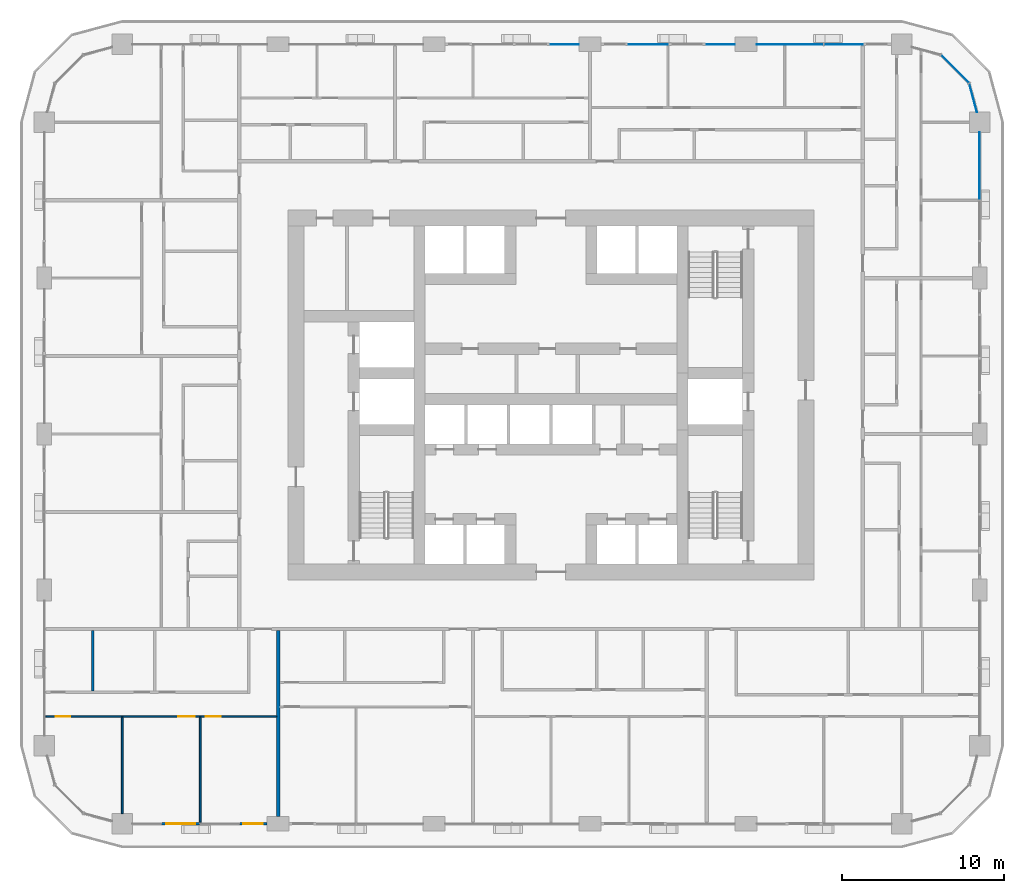
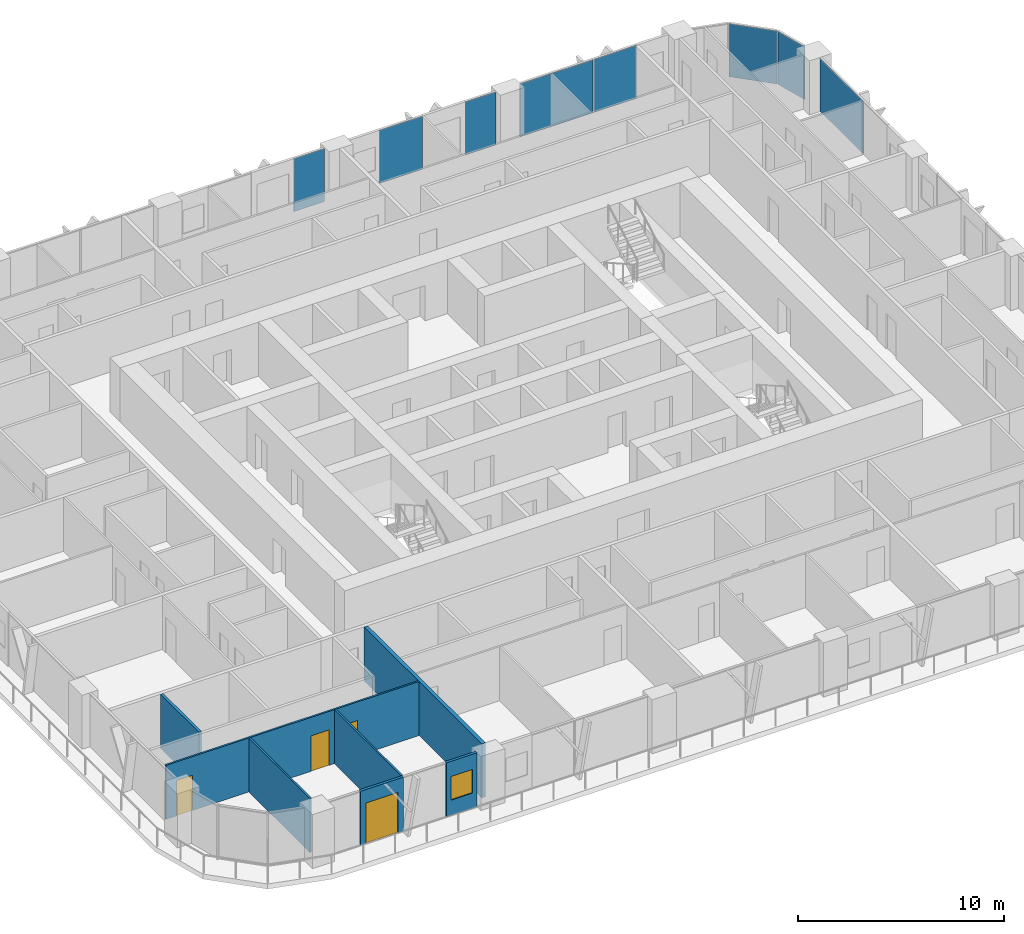
# One storey, part 8 of 21: 8 plates, 7 walls, 4 doors, 1 window, 5 openings, 5 elements without a shape of their own.
"""IFC4 building model written with IfcOpenShell, lengths in metres."""

import ifcopenshell
import ifcopenshell.guid

model = None  # the IFC model being written
_history = None  # IfcOwnerHistory: only IFC2X3 demands one
_inside = {}  # id of a spatial element -> (the spatial element, [elements in it])
_under = {}  # id of a project, library or spatial element -> (it, [spatial elements below it])
_declared = {}  # id of a project -> (the project, [libraries it declares])
_typed = {}  # id of a type object -> (the type object, [elements of that type])
_made_of = {}  # id of a material, layer set ... -> (it, [elements and type objects made of it])


def new_model(schema):
    """Start an empty IFC model of exactly this schema.

    Asked for "IFC4X3", IfcOpenShell would pick the latest addendum, in which some entities
    have other attributes; the version numbers below select the first issue.
    IFC2X3 requires an IfcOwnerHistory on every rooted entity: one is made here for all.
    """
    global model, _history
    if schema == "IFC4X3":
        model = ifcopenshell.file(schema_version=(4, 3, 0, 0))
    else:
        model = ifcopenshell.file(schema=schema)
    _inside.clear()
    _under.clear()
    _declared.clear()
    _typed.clear()
    _made_of.clear()
    _history = None
    if model.schema == "IFC2X3":
        org = make("IfcOrganization", Name="unknown")
        user = make(
            "IfcPersonAndOrganization",
            ThePerson=make("IfcPerson", FamilyName="unknown"),
            TheOrganization=org,
        )
        app = make(
            "IfcApplication",
            ApplicationDeveloper=org,
            Version="unknown",
            ApplicationFullName="unknown",
            ApplicationIdentifier="unknown",
        )
        _history = make(
            "IfcOwnerHistory",
            OwningUser=user,
            OwningApplication=app,
            ChangeAction="ADDED",
            CreationDate=0,
        )
    return model


def make(cls, **values):
    """One entity of the class cls with the attributes given. An attribute that is None is left unset."""
    return model.create_entity(
        cls, **{name: value for name, value in values.items() if value is not None}
    )


def rooted(cls, **values):
    """An entity with a GlobalId (a new one), such as an element, a storey or a relation."""
    return make(cls, GlobalId=ifcopenshell.guid.new(), OwnerHistory=_history, **values)


def si_unit(unit_type, name, prefix=None):
    """IfcSIUnit, for example si_unit("LENGTHUNIT", "METRE", prefix="MILLI")."""
    return make("IfcSIUnit", UnitType=unit_type, Prefix=prefix, Name=name)


def assignment(units):
    """IfcUnitAssignment: the units of a project."""
    return None if units is None else make("IfcUnitAssignment", Units=units)


def point(xyz):
    """IfcCartesianPoint."""
    return None if xyz is None else make("IfcCartesianPoint", Coordinates=xyz)


def direction(xyz):
    """IfcDirection."""
    return None if xyz is None else make("IfcDirection", DirectionRatios=xyz)


def frame(location, z_axis=None, x_axis=None):
    """IfcAxis2Placement3D, a coordinate frame: its origin and axes. An axis left out is left unset."""
    return make(
        "IfcAxis2Placement3D",
        Location=point(location),
        Axis=direction(z_axis),
        RefDirection=direction(x_axis),
    )


def frame_2d(location, x_axis=None):
    """IfcAxis2Placement2D, a coordinate frame in the plane: its origin and x axis."""
    return make(
        "IfcAxis2Placement2D", Location=point(location), RefDirection=direction(x_axis)
    )


def origin():
    """The frame at (0, 0, 0) with its axes left unset."""
    return frame((0.0, 0.0, 0.0))


def origin_2d():
    """The frame at (0, 0) in the plane with its x axis left unset."""
    return frame_2d((0.0, 0.0))


def place(relative_to, where):
    """IfcLocalPlacement: puts the frame where relative to a parent placement (None: the world)."""
    return make(
        "IfcLocalPlacement", PlacementRelTo=relative_to, RelativePlacement=where
    )


def context(
    kind, dimensions, precision=None, world=None, true_north=None, identifier=None
):
    """IfcGeometricRepresentationContext, for example the 3D "Model" context."""
    return make(
        "IfcGeometricRepresentationContext",
        ContextIdentifier=identifier,
        ContextType=kind,
        CoordinateSpaceDimension=dimensions,
        Precision=precision,
        WorldCoordinateSystem=world,
        TrueNorth=true_north,
    )


def subcontext(parent, identifier, kind, view, scale=None):
    """IfcGeometricRepresentationSubContext, for example "Body" below "Model"."""
    return make(
        "IfcGeometricRepresentationSubContext",
        ContextIdentifier=identifier,
        ContextType=kind,
        ParentContext=parent,
        TargetScale=scale,
        TargetView=view,
    )


def project(units=None, contexts=None):
    """IfcProject with its units and contexts."""
    return rooted(
        "IfcProject",
        Name="project",
        RepresentationContexts=contexts,
        UnitsInContext=assignment(units),
    )


def spatial(cls, under=None, at=None, **own):
    """A site, building, storey or space (cls), placed at a placement, below another one or the project."""
    s = rooted(cls, ObjectPlacement=at, **own)
    if under is not None:
        _under.setdefault(under.id(), (under, []))[1].append(s)
    return s


def profile(cls, at=None, kind="AREA", **sizes):
    """A parametric profile (cls). Its sizes go by their IFC names, for example OverallWidth=200.0."""
    return make(cls, ProfileType=kind, Position=at, **sizes)


def rectangle(**sizes):
    """IfcRectangleProfileDef."""
    return profile("IfcRectangleProfileDef", **sizes)


def extrude(swept, where, along, depth):
    """IfcExtrudedAreaSolid: the profile swept, set in the frame where, extruded along a direction by depth."""
    return make(
        "IfcExtrudedAreaSolid",
        SweptArea=swept,
        Position=where,
        ExtrudedDirection=direction(along),
        Depth=depth,
    )


def shape(context_of_items, identifier, shape_type, items):
    """IfcShapeRepresentation: the items that make up one representation, for example the "Body"."""
    return make(
        "IfcShapeRepresentation",
        ContextOfItems=context_of_items,
        RepresentationIdentifier=identifier,
        RepresentationType=shape_type,
        Items=items,
    )


def material(Name=None, Category=None):
    """IfcMaterial."""
    return make("IfcMaterial", Name=Name, Category=Category)


def layer(
    of_material, thickness, ventilated=None, Name=None, Category=None, Priority=None
):
    """IfcMaterialLayer: one layer of a wall or slab, of a material (None: an air gap)."""
    return make(
        "IfcMaterialLayer",
        Material=of_material,
        LayerThickness=thickness,
        IsVentilated=ventilated,
        Name=Name,
        Category=Category,
        Priority=Priority,
    )


def layer_set(layers, Name=None):
    """IfcMaterialLayerSet."""
    return make("IfcMaterialLayerSet", MaterialLayers=layers, LayerSetName=Name)


def made_of(thing, what):
    """Note that an element or type object is made of a material, layer set ...; save() writes the relation."""
    if what is not None:
        _made_of.setdefault(what.id(), (what, []))[1].append(thing)
    return thing


def type_object(cls, material=None, **own):
    """A type object (cls), such as IfcWallType, which elements share."""
    return made_of(rooted(cls, **own), material)


def element(
    cls,
    number,
    at=None,
    inside=None,
    cuts=None,
    type_object=None,
    material=None,
    context=None,
    identifier="Body",
    shape_type=None,
    held_by="IfcProductDefinitionShape",
    body=None,
    shapes=None,
    **own,
):
    """One element of the class cls, such as IfcWall. Its Tag is "e" and its number.

    at: its placement. inside: the storey or other place that contains it. cuts: it is an
    opening in that element (IfcRelVoidsElement). A single representation is given by context,
    identifier, shape_type and body (its items); several are given by shapes. held_by: the class
    of the entity that holds the representations. save() writes the other relations.
    """
    e = rooted(cls, Tag="e%d" % number, ObjectPlacement=at, **own)
    if body is not None:
        shapes = [shape(context, identifier, shape_type, body)]
    if shapes is not None:
        e.Representation = make(held_by, Representations=shapes)
    if inside is not None:
        _inside.setdefault(inside.id(), (inside, []))[1].append(e)
    if cuts is not None:
        rooted(
            "IfcRelVoidsElement", RelatingBuildingElement=cuts, RelatedOpeningElement=e
        )
    if type_object is not None:
        _typed.setdefault(type_object.id(), (type_object, []))[1].append(e)
    return made_of(e, material)


def fill(opening, filler):
    """IfcRelFillsElement: the door or window that sits in an opening."""
    return rooted(
        "IfcRelFillsElement",
        RelatingOpeningElement=opening,
        RelatedBuildingElement=filler,
    )


def aggregate(whole, parts):
    """IfcRelAggregates: a whole, such as a stair, and the parts it consists of."""
    return rooted("IfcRelAggregates", RelatingObject=whole, RelatedObjects=parts)


def save(model, path):
    """Write the relations noted so far, then the file.

    IfcRelAggregates (storeys below a building ...), IfcRelContainedInSpatialStructure (elements
    in a storey), IfcRelDefinesByType, IfcRelAssociatesMaterial and IfcRelDeclares: one each for
    every whole, place, type object, material and project.
    """
    for whole, parts in _under.values():
        aggregate(whole, parts)
    for where, things in _inside.values():
        rooted(
            "IfcRelContainedInSpatialStructure",
            RelatedElements=things,
            RelatingStructure=where,
        )
    for kind, things in _typed.values():
        rooted("IfcRelDefinesByType", RelatedObjects=things, RelatingType=kind)
    for what, things in _made_of.values():
        rooted("IfcRelAssociatesMaterial", RelatedObjects=things, RelatingMaterial=what)
    for by, libraries in _declared.values():
        rooted("IfcRelDeclares", RelatingContext=by, RelatedDefinitions=libraries)
    model.write(path)


model = new_model("IFC4")

# Units and contexts
model_context = context("Model", 3, precision=1e-05, world=origin(), true_north=direction((0.0, 1.0)))
body_context = subcontext(model_context, "Body", "Model", "MODEL_VIEW")
ifc_project = project(units=[si_unit("LENGTHUNIT", "METRE"), si_unit("AREAUNIT", "SQUARE_METRE"), si_unit("VOLUMEUNIT", "CUBIC_METRE"), si_unit("PLANEANGLEUNIT", "RADIAN"), si_unit("MASSUNIT", "GRAM", prefix="KILO")], contexts=[model_context])

# Site, building, storey
site_placement = place(None, origin())
site = spatial("IfcSite", under=ifc_project, at=site_placement, CompositionType="ELEMENT")
building_placement = place(site_placement, origin())
building = spatial("IfcBuilding", under=site, at=building_placement, Name="Madar Terraces", CompositionType="ELEMENT")
storey_placement = place(building_placement, frame((0.0, 0.0, 43.39990234375)))
storey = spatial("IfcBuildingStorey", under=building, at=storey_placement, Name="L10", CompositionType="ELEMENT", Elevation=43.39990234375)

# Curtain wall, plate
ifc_material_1 = material(Name="Glass, ceramic frit dark grey, with black aluminium frame", Category="aluminium")
ifc_layer_1 = layer(ifc_material_1, 0.199951171875)
ifc_layer_set_1 = layer_set([ifc_layer_1], Name="Facade curtain wall, fritted glass")
curtain_wall_type = type_object("IfcCurtainWallType", Name="Facade curtain wall, fritted glass", PredefinedType="NOTDEFINED", material=ifc_layer_set_1)
curtain_wall_1_placement = place(storey_placement, origin())
curtain_wall_1 = element("IfcCurtainWall", 1, at=curtain_wall_1_placement, inside=storey, type_object=curtain_wall_type, Name="Outer skin curtain wall east bay 4", PredefinedType="NOTDEFINED")
ifc_material_2 = material(Name="Glass, ceramic frit dark grey", Category="glass")
ifc_layer_2 = layer(ifc_material_2, 0.028076171875)
ifc_layer_set_2 = layer_set([ifc_layer_2], Name="Facade glass panel 28")
plate_type = type_object("IfcPlateType", Name="Facade glass panel 28", PredefinedType="CURTAIN_PANEL", material=ifc_layer_set_2)
plate_1_placement = place(storey_placement, frame((57.60009765625, 40.50244140625, 0.0), z_axis=(0.0, 0.0, 1.0), x_axis=(0.0, 1.0, 0.0)))
plate_1 = element("IfcPlate", 2, at=plate_1_placement, type_object=plate_type, Name="Panel 2", PredefinedType="CURTAIN_PANEL", context=body_context, shape_type="SweptSolid", body=[
    extrude(rectangle(XDim=4.14501953125, YDim=0.028076171875, at=origin_2d()), origin(), (0.0, 0.0, 1.0), 3.139892578125),
])
aggregate(curtain_wall_1, [plate_1])

# Curtain wall, plates
curtain_wall_2_placement = place(storey_placement, origin())
curtain_wall_2 = element("IfcCurtainWall", 3, at=curtain_wall_2_placement, inside=storey, type_object=curtain_wall_type, Name="Outer skin curtain wall north bay 1", PredefinedType="NOTDEFINED")
plate_2_placement = place(storey_placement, frame((49.215087890625, 48.0, 0.0), z_axis=(0.0, 0.0, 1.0), x_axis=(-1.0, 0.0, 0.0)))
plate_2 = element("IfcPlate", 4, at=plate_2_placement, type_object=plate_type, Name="Panel 1", PredefinedType="CURTAIN_PANEL", context=body_context, shape_type="SweptSolid", body=[
    extrude(rectangle(XDim=2.3701171875, YDim=0.028076171875, at=origin_2d()), origin(), (0.0, 0.0, 1.0), 3.139892578125),
])
plate_3_placement = place(storey_placement, frame((45.922607421875, 48.0, 0.0), z_axis=(0.0, 0.0, 1.0), x_axis=(-1.0, 0.0, 0.0)))
plate_3 = element("IfcPlate", 5, at=plate_3_placement, type_object=plate_type, Name="Panel 2", PredefinedType="CURTAIN_PANEL", context=body_context, shape_type="SweptSolid", body=[
    extrude(rectangle(XDim=4.094970703125, YDim=0.028076171875, at=origin_2d()), origin(), (0.0, 0.0, 1.0), 3.139892578125),
])
aggregate(curtain_wall_2, [plate_2, plate_3])

curtain_wall_3_placement = place(storey_placement, origin())
curtain_wall_3 = element("IfcCurtainWall", 6, at=curtain_wall_3_placement, inside=storey, type_object=curtain_wall_type, Name="Outer skin curtain wall north bay 2", PredefinedType="NOTDEFINED")
plate_4_placement = place(storey_placement, frame((41.66259765625, 48.0, 0.0), z_axis=(0.0, 0.0, 1.0), x_axis=(-1.0, 0.0, 0.0)))
plate_4 = element("IfcPlate", 7, at=plate_4_placement, type_object=plate_type, Name="Panel 1", PredefinedType="CURTAIN_PANEL", context=body_context, shape_type="SweptSolid", body=[
    extrude(rectangle(XDim=1.72509765625, YDim=0.028076171875, at=origin_2d()), origin(), (0.0, 0.0, 1.0), 3.139892578125),
])
plate_5_placement = place(storey_placement, frame((37.199951171875, 48.0, 0.0), z_axis=(0.0, 0.0, 1.0), x_axis=(-1.0, 0.0, 0.0)))
plate_5 = element("IfcPlate", 8, at=plate_5_placement, type_object=plate_type, Name="Panel 2", PredefinedType="CURTAIN_PANEL", context=body_context, shape_type="SweptSolid", body=[
    extrude(rectangle(XDim=2.39990234375, YDim=0.028076171875, at=origin_2d()), origin(), (0.0, 0.0, 1.0), 3.139892578125),
])
aggregate(curtain_wall_3, [plate_4, plate_5])

# Curtain wall, plate
curtain_wall_4_placement = place(storey_placement, origin())
curtain_wall_4 = element("IfcCurtainWall", 9, at=curtain_wall_4_placement, inside=storey, type_object=curtain_wall_type, Name="Outer skin curtain wall north bay 3", PredefinedType="NOTDEFINED")
plate_6_placement = place(storey_placement, frame((32.0625, 48.0, 0.0), z_axis=(0.0, 0.0, 1.0), x_axis=(-1.0, 0.0, 0.0)))
plate_6 = element("IfcPlate", 10, at=plate_6_placement, type_object=plate_type, Name="Panel 1", PredefinedType="CURTAIN_PANEL", context=body_context, shape_type="SweptSolid", body=[
    extrude(rectangle(XDim=1.72509765625, YDim=0.028076171875, at=origin_2d()), origin(), (0.0, 0.0, 1.0), 3.139892578125),
])
aggregate(curtain_wall_4, [plate_6])

# Curtain wall, plates
curtain_wall_5_placement = place(storey_placement, origin())
curtain_wall_5 = element("IfcCurtainWall", 11, at=curtain_wall_5_placement, inside=storey, type_object=curtain_wall_type, Name="Outer skin curtain wall north-east corner", PredefinedType="NOTDEFINED")
plate_7_placement = place(storey_placement, frame((57.19873046875, 44.697998046875, 0.0), z_axis=(0.0, 0.0, 1.0), x_axis=(-0.258819021888, 0.965925832509, 0.0)))
plate_7 = element("IfcPlate", 12, at=plate_7_placement, type_object=plate_type, Name="Panel 1", PredefinedType="CURTAIN_PANEL", context=body_context, shape_type="SweptSolid", body=[
    extrude(rectangle(XDim=1.8076171875, YDim=0.028076171875, at=origin_2d()), origin(), (0.0, 0.0, 1.0), 3.139892578125),
])
plate_8_placement = place(storey_placement, frame((56.078369140625, 46.478515625, 0.0), z_axis=(0.0, 0.0, 1.0), x_axis=(-0.707106781187, 0.707106781187, 0.0)))
plate_8 = element("IfcPlate", 13, at=plate_8_placement, type_object=plate_type, Name="Panel 2", PredefinedType="CURTAIN_PANEL", context=body_context, shape_type="SweptSolid", body=[
    extrude(rectangle(XDim=2.424560546875, YDim=0.028076171875, at=origin_2d()), origin(), (0.0, 0.0, 1.0), 3.139892578125),
])
aggregate(curtain_wall_5, [plate_7, plate_8])

# Wall, opening, door
ifc_material_3 = material(Name="Aluminium composite panel, black, over insulated backing", Category="aluminium")
ifc_layer_3 = layer(ifc_material_3, 0.14990234375)
ifc_layer_set_3 = layer_set([ifc_layer_3], Name="Facade bay panel 150")
wall_type_1 = type_object("IfcWallType", Name="Facade bay panel 150", PredefinedType="SOLIDWALL", material=ifc_layer_set_3)
wall_1_placement = place(storey_placement, frame((7.199951171875, 0.0, 0.0), z_axis=(0.0, 0.0, 1.0), x_axis=(1.0, 0.0, 0.0)))
wall_1 = element("IfcWall", 14, at=wall_1_placement, inside=storey, type_object=wall_type_1, Name="Facade bay panel", PredefinedType="SOLIDWALL", context=body_context, shape_type="SweptSolid", body=[
    extrude(rectangle(XDim=2.400146484375, YDim=0.14990234375, at=frame_2d((1.2001953125, 0.0))), origin(), (0.0, 0.0, 1.0), 3.2001953125),
])
opening_1_placement = place(wall_1_placement, frame((0.300048828125, 0.0, 0.0)))
opening_1 = element("IfcOpeningElement", 15, at=opening_1_placement, cuts=wall_1, Name="Opening ED1", PredefinedType="OPENING", context=body_context, shape_type="SweptSolid", body=[
    extrude(rectangle(XDim=1.800048828125, YDim=2.39990234375, at=frame_2d((0.89990234375, 1.199951171875))), frame((0.0, 0.0849609375, 0.0), z_axis=(0.0, -1.0, 0.0), x_axis=(1.0, 0.0, 0.0)), (0.0, 0.0, 1.0), 0.169921875),
])
ifc_material_4 = material(Name="Glass, clear, with black aluminium frame", Category="aluminium")
door_type_1 = type_object("IfcDoorType", Name="Balcony and terrace sliding door 1800 x 2400", OperationType="SLIDING_TO_LEFT", PredefinedType="DOOR", material=ifc_material_4)
door_1_placement = place(opening_1_placement, origin())
door_1 = element("IfcDoor", 16, at=door_1_placement, inside=storey, type_object=door_type_1, Name="Balcony door", OperationType="SLIDING_TO_LEFT", OverallHeight=2.39990234375, OverallWidth=1.800048828125, PredefinedType="DOOR", context=body_context, shape_type="SweptSolid", body=[
    extrude(rectangle(XDim=1.800048828125, YDim=2.39990234375, at=frame_2d((0.89990234375, 1.199951171875))), frame((0.0, 0.02490234375, 0.0), z_axis=(0.0, -1.0, 0.0), x_axis=(1.0, 0.0, 0.0)), (0.0, 0.0, 1.0), 0.050048828125),
])
fill(opening_1, door_1)

# Wall, opening, window
wall_2_placement = place(storey_placement, frame((12.0, 0.0, 0.0), z_axis=(0.0, 0.0, 1.0), x_axis=(1.0, 0.0, 0.0)))
wall_2 = element("IfcWall", 17, at=wall_2_placement, inside=storey, type_object=wall_type_1, Name="Facade bay panel", PredefinedType="SOLIDWALL", context=body_context, shape_type="SweptSolid", body=[
    extrude(rectangle(XDim=1.72509765625, YDim=0.14990234375, at=frame_2d((0.862548828125, 0.0))), origin(), (0.0, 0.0, 1.0), 3.2001953125),
])
opening_2_placement = place(wall_2_placement, frame((0.262451171875, 0.0, 0.89990234375)))
opening_2 = element("IfcOpeningElement", 18, at=opening_2_placement, cuts=wall_2, Name="Opening W1", PredefinedType="OPENING", context=body_context, shape_type="SweptSolid", body=[
    extrude(rectangle(XDim=1.199951171875, YDim=1.39990234375, at=frame_2d((0.60009765625, 0.699951171875))), frame((0.0, 0.0849609375, 0.0), z_axis=(0.0, -1.0, 0.0), x_axis=(1.0, 0.0, 0.0)), (0.0, 0.0, 1.0), 0.169921875),
])
ifc_material_5 = material(Name="Glass, clear, with black aluminium frame", Category="aluminium")
window_type = type_object("IfcWindowType", Name="Vent window 1200 x 1400", PartitioningType="SINGLE_PANEL", PredefinedType="WINDOW", material=ifc_material_5)
window_placement = place(opening_2_placement, origin())
window = element("IfcWindow", 19, at=window_placement, inside=storey, type_object=window_type, Name="Operable vent window", OverallHeight=1.39990234375, OverallWidth=1.199951171875, PartitioningType="SINGLE_PANEL", PredefinedType="WINDOW", context=body_context, shape_type="SweptSolid", body=[
    extrude(rectangle(XDim=1.199951171875, YDim=1.39990234375, at=frame_2d((0.60009765625, 0.699951171875))), frame((0.0, 0.030029296875, 0.0), z_axis=(0.0, -1.0, 0.0), x_axis=(1.0, 0.0, 0.0)), (0.0, 0.0, 1.0), 0.06005859375),
])
fill(opening_2, window)

# Walls
ifc_material_6 = material(Name="Gypsum board on steel studs", Category="steel")
ifc_layer_4 = layer(ifc_material_6, 0.10009765625)
ifc_layer_set_4 = layer_set([ifc_layer_4], Name="Flat partition 100")
wall_type_2 = type_object("IfcWallType", Name="Flat partition 100", PredefinedType="PARTITIONING", material=ifc_layer_set_4)
wall_3_placement = place(storey_placement, frame((9.60009765625, 6.550048828125, 0.0), z_axis=(0.0, 0.0, 1.0), x_axis=(0.0, -1.0, 0.0)))
element("IfcWall", 20, at=wall_3_placement, inside=storey, type_object=wall_type_2, Name="Flat partition 100", PredefinedType="PARTITIONING", context=body_context, shape_type="SweptSolid", body=[
    extrude(rectangle(XDim=6.449951171875, YDim=0.10009765625, at=frame_2d((3.22509765625, 0.0))), origin(), (0.0, 0.0, 1.0), 3.2001953125),
])
wall_4_placement = place(storey_placement, frame((4.800048828125, 6.550048828125, 0.0), z_axis=(0.0, 0.0, 1.0), x_axis=(0.0, -1.0, 0.0)))
element("IfcWall", 21, at=wall_4_placement, inside=storey, type_object=wall_type_2, Name="Flat partition 100", PredefinedType="PARTITIONING", context=body_context, shape_type="SweptSolid", body=[
    extrude(rectangle(XDim=5.925048828125, YDim=0.10009765625, at=frame_2d((2.96240234375, 0.0))), origin(), (0.0, 0.0, 1.0), 3.2001953125),
])

# Wall, openings, doors
wall_5_placement = place(storey_placement, frame((14.300048828125, 6.60009765625, 0.0), z_axis=(0.0, 0.0, 1.0), x_axis=(-1.0, 0.0, 0.0)))
wall_5 = element("IfcWall", 22, at=wall_5_placement, inside=storey, type_object=wall_type_2, Name="Flat partition 100", PredefinedType="PARTITIONING", context=body_context, shape_type="SweptSolid", body=[
    extrude(rectangle(XDim=14.199951171875, YDim=0.10009765625, at=frame_2d((7.10009765625, 0.0))), origin(), (0.0, 0.0, 1.0), 3.2001953125),
])
opening_3_placement = place(wall_5_placement, frame((3.449951171875, 0.0, 0.0)))
opening_3 = element("IfcOpeningElement", 23, at=opening_3_placement, cuts=wall_5, Name="Opening D2", PredefinedType="OPENING", context=body_context, shape_type="SweptSolid", body=[
    extrude(rectangle(XDim=0.89990234375, YDim=2.10009765625, at=frame_2d((0.449951171875, 1.050048828125))), frame((0.0, 0.06005859375, 0.0), z_axis=(0.0, -1.0, 0.0), x_axis=(1.0, 0.0, 0.0)), (0.0, 0.0, 1.0), 0.1201171875),
])
opening_4_placement = place(wall_5_placement, frame((5.050048828125, 0.0, 0.0)))
opening_4 = element("IfcOpeningElement", 24, at=opening_4_placement, cuts=wall_5, Name="Opening D3", PredefinedType="OPENING", context=body_context, shape_type="SweptSolid", body=[
    extrude(rectangle(XDim=1.0, YDim=2.10009765625, at=frame_2d((0.5, 1.050048828125))), frame((0.0, 0.06005859375, 0.0), z_axis=(0.0, -1.0, 0.0), x_axis=(1.0, 0.0, 0.0)), (0.0, 0.0, 1.0), 0.1201171875),
])
opening_5_placement = place(wall_5_placement, frame((12.699951171875, 0.0, 0.0)))
opening_5 = element("IfcOpeningElement", 25, at=opening_5_placement, cuts=wall_5, Name="Opening D2", PredefinedType="OPENING", context=body_context, shape_type="SweptSolid", body=[
    extrude(rectangle(XDim=0.89990234375, YDim=2.10009765625, at=frame_2d((0.449951171875, 1.050048828125))), frame((0.0, 0.06005859375, 0.0), z_axis=(0.0, -1.0, 0.0), x_axis=(1.0, 0.0, 0.0)), (0.0, 0.0, 1.0), 0.1201171875),
])
ifc_material_7 = material(Name="Timber door leaf", Category="wood")
door_type_2 = type_object("IfcDoorType", Name="Flat living room door 1000", OperationType="NOTDEFINED", PredefinedType="DOOR", material=ifc_material_7)
door_2_placement = place(opening_4_placement, origin())
door_2 = element("IfcDoor", 26, at=door_2_placement, inside=storey, type_object=door_type_2, Name="Flat living room door 1000", OperationType="SINGLE_SWING_LEFT", OverallHeight=2.10009765625, OverallWidth=1.0, PredefinedType="DOOR", context=body_context, shape_type="SweptSolid", body=[
    extrude(rectangle(XDim=1.0, YDim=2.10009765625, at=frame_2d((0.5, 1.050048828125))), frame((0.0, 0.02490234375, 0.0), z_axis=(0.0, -1.0, 0.0), x_axis=(1.0, 0.0, 0.0)), (0.0, 0.0, 1.0), 0.050048828125),
])
fill(opening_4, door_2)
ifc_material_8 = material(Name="Timber door leaf", Category="wood")
door_type_3 = type_object("IfcDoorType", Name="Flat room door 900", OperationType="NOTDEFINED", PredefinedType="DOOR", material=ifc_material_8)
door_3_placement = place(opening_3_placement, origin())
door_3 = element("IfcDoor", 27, at=door_3_placement, inside=storey, type_object=door_type_3, Name="Flat room door 900", OperationType="SINGLE_SWING_RIGHT", OverallHeight=2.10009765625, OverallWidth=0.89990234375, PredefinedType="DOOR", context=body_context, shape_type="SweptSolid", body=[
    extrude(rectangle(XDim=0.89990234375, YDim=2.10009765625, at=frame_2d((0.449951171875, 1.050048828125))), frame((0.0, 0.02490234375, 0.0), z_axis=(0.0, -1.0, 0.0), x_axis=(1.0, 0.0, 0.0)), (0.0, 0.0, 1.0), 0.050048828125),
])
fill(opening_3, door_3)
door_4_placement = place(opening_5_placement, origin())
door_4 = element("IfcDoor", 28, at=door_4_placement, inside=storey, type_object=door_type_3, Name="Flat room door 900", OperationType="SINGLE_SWING_RIGHT", OverallHeight=2.10009765625, OverallWidth=0.89990234375, PredefinedType="DOOR", context=body_context, shape_type="SweptSolid", body=[
    extrude(rectangle(XDim=0.89990234375, YDim=2.10009765625, at=frame_2d((0.449951171875, 1.050048828125))), frame((0.0, 0.02490234375, 0.0), z_axis=(0.0, -1.0, 0.0), x_axis=(1.0, 0.0, 0.0)), (0.0, 0.0, 1.0), 0.050048828125),
])
fill(opening_5, door_4)

# Walls
ifc_material_9 = material(Name="Lightweight blockwork", Category="masonry")
ifc_layer_5 = layer(ifc_material_9, 0.199951171875)
ifc_layer_set_5 = layer_set([ifc_layer_5], Name="Flat party and entrance wall 200")
wall_type_3 = type_object("IfcWallType", Name="Flat party and entrance wall 200", PredefinedType="PARTITIONING", material=ifc_layer_set_5)
wall_6_placement = place(storey_placement, frame((14.39990234375, 11.89990234375, 0.0), z_axis=(0.0, 0.0, 1.0), x_axis=(0.0, -1.0, 0.0)))
element("IfcWall", 29, at=wall_6_placement, inside=storey, type_object=wall_type_3, Name="Flat party and entrance wall 200", PredefinedType="PARTITIONING", context=body_context, shape_type="SweptSolid", body=[
    extrude(rectangle(XDim=11.449951171875, YDim=0.199951171875, at=frame_2d((5.72509765625, 0.0))), origin(), (0.0, 0.0, 1.0), 3.2001953125),
])
ifc_material_10 = material(Name="Lightweight blockwork", Category="masonry")
ifc_layer_6 = layer(ifc_material_10, 0.14990234375)
ifc_layer_set_6 = layer_set([ifc_layer_6], Name="Flat wet-room partition 150")
wall_type_4 = type_object("IfcWallType", Name="Flat wet-room partition 150", PredefinedType="PARTITIONING", material=ifc_layer_set_6)
wall_7_placement = place(storey_placement, frame((2.96728515625, 11.89990234375, 0.0), z_axis=(0.0, 0.0, 1.0), x_axis=(0.0, -1.0, 0.0)))
element("IfcWall", 30, at=wall_7_placement, inside=storey, type_object=wall_type_4, Name="Flat wet-room partition 150", PredefinedType="PARTITIONING", context=body_context, shape_type="SweptSolid", body=[
    extrude(rectangle(XDim=3.724853515625, YDim=0.14990234375, at=frame_2d((1.8623046875, 0.0))), origin(), (0.0, 0.0, 1.0), 3.2001953125),
])

save(model, "model.ifc")
